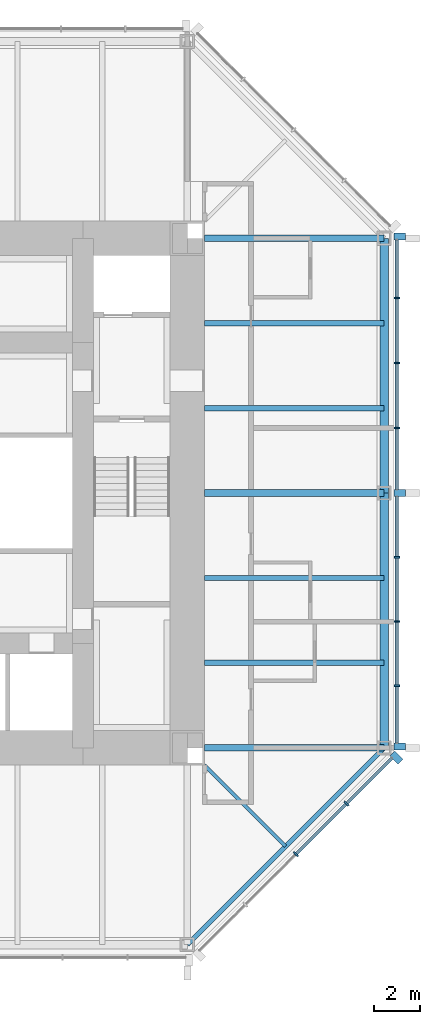
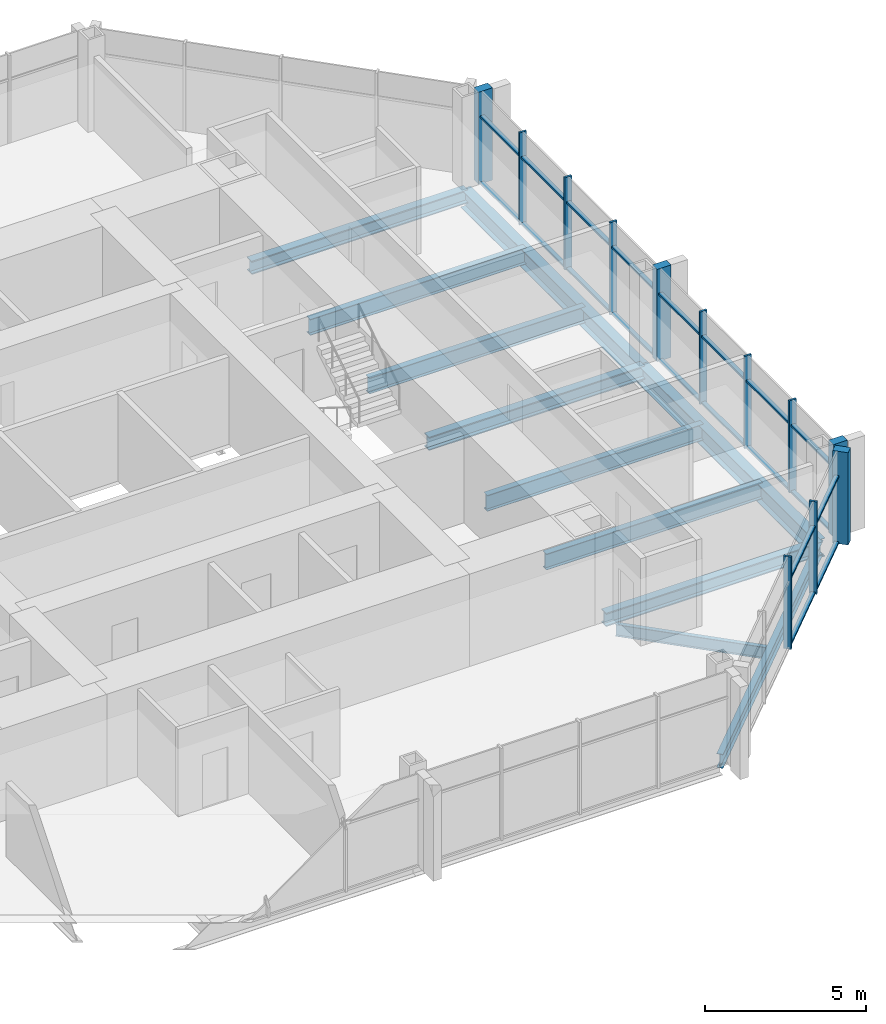
# One storey, part 4 of 11: 32 members, 11 beams, 2 elements without a shape of their own.
"""IFC4 building model written with IfcOpenShell, lengths in metres."""

from ifc_helpers import new_model, si_unit, direction, frame, origin, origin_2d, place, context, subcontext, project, spatial, rectangle, i_section, extrude, material, material_profile, profile_set, type_object, element, aggregate, save


model = new_model("IFC4")

# Units and contexts
model_context = context("Model", 3, precision=1e-05, world=origin(), true_north=direction((0.0, 1.0)))
body_context = subcontext(model_context, "Body", "Model", "MODEL_VIEW")
ifc_project = project(units=[si_unit("LENGTHUNIT", "METRE"), si_unit("AREAUNIT", "SQUARE_METRE"), si_unit("VOLUMEUNIT", "CUBIC_METRE"), si_unit("PLANEANGLEUNIT", "RADIAN"), si_unit("MASSUNIT", "GRAM", prefix="KILO")], contexts=[model_context])

# Site, building, storey
site_placement = place(None, origin())
site = spatial("IfcSite", under=ifc_project, at=site_placement, CompositionType="ELEMENT")
building_placement = place(site_placement, origin())
building = spatial("IfcBuilding", under=site, at=building_placement, Name="Trevanion Tower", CompositionType="ELEMENT")
storey_placement = place(building_placement, frame((0.0, 0.0, 229.199951171875)))
storey = spatial("IfcBuildingStorey", under=building, at=storey_placement, Name="L55", CompositionType="ELEMENT", Elevation=229.199951171875)

# Beams
ifc_material_1 = material(Name="Steel ASTM A992 Grade 50", Category="steel")
ifc_material_profile_1 = material_profile(ifc_material_1, i_section(OverallWidth=0.228271484375, OverallDepth=0.607177734375, WebThickness=0.01123046875, FlangeThickness=0.017333984375, at=origin_2d()), Name="W24X76")
ifc_profile_set_1 = profile_set([ifc_material_profile_1], Name="Steel ASTM A992 Grade 50")
beam_type_1 = type_object("IfcBeamType", Name="B11 W24X76", PredefinedType="BEAM", material=ifc_profile_set_1)
for number, where, z_axis, x_axis, name in (
    (1, (11.75, -7.333251953125, -0.493408203125), (1.0, 0.0, 0.0), (0.0, 1.0, 0.0), "B11 L55"),
    (2, (11.75, -3.666748046875, -0.493408203125), (1.0, 0.0, 0.0), (0.0, 1.0, 0.0), "B11 L55"),
    (3, (11.75, 3.666748046875, -0.493408203125), (1.0, 0.0, 0.0), (0.0, 1.0, 0.0), "B11 L55"),
    (4, (11.75, 7.333251953125, -0.493408203125), (1.0, 0.0, 0.0), (0.0, 1.0, 0.0), "B11 L55"),
):
    element("IfcBeam", number, at=place(storey_placement, frame(where, z_axis=z_axis, x_axis=x_axis)), inside=storey, type_object=beam_type_1, Name=name, PredefinedType="BEAM", context=body_context, shape_type="SweptSolid", body=[
        extrude(i_section(OverallWidth=0.228271484375, OverallDepth=0.607177734375, WebThickness=0.01123046875, FlangeThickness=0.017333984375, at=origin_2d()), origin(), (0.0, 0.0, 1.0), 7.75),
    ])
ifc_material_2 = material(Name="Steel ASTM A992 Grade 50", Category="steel")
ifc_material_profile_2 = material_profile(ifc_material_2, i_section(OverallWidth=0.15234375, OverallDepth=0.449462890625, WebThickness=0.007568359375, FlangeThickness=0.0107421875, at=origin_2d()), Name="W18X35")
ifc_profile_set_2 = profile_set([ifc_material_profile_2], Name="Steel ASTM A992 Grade 50")
beam_type_2 = type_object("IfcBeamType", Name="B12 W18X35", PredefinedType="BEAM", material=ifc_profile_set_2)
beam_1_placement = place(storey_placement, frame((11.75, -11.75, -0.414794921875), z_axis=(0.707106781187, -0.707106781187, 0.0), x_axis=(0.707106781187, 0.707106781187, 0.0)))
element("IfcBeam", 5, at=beam_1_placement, inside=storey, type_object=beam_type_2, Name="B12 L55", PredefinedType="BEAM", context=body_context, shape_type="SweptSolid", body=[
    extrude(i_section(OverallWidth=0.15234375, OverallDepth=0.449462890625, WebThickness=0.007568359375, FlangeThickness=0.0107421875, at=origin_2d()), origin(), (0.0, 0.0, 1.0), 4.94970703125),
])

# Curtain wall, members
ifc_material_3 = material(Name="Aluminium and glass", Category="aluminium")
curtain_wall_type = type_object("IfcCurtainWallType", Name="CW3 curtain wall", PredefinedType="USERDEFINED", material=ifc_material_3)
curtain_wall_1_placement = place(storey_placement, origin())
curtain_wall_1 = element("IfcCurtainWall", 6, at=curtain_wall_1_placement, inside=storey, type_object=curtain_wall_type, Name="CW3 L55 0", ObjectType="UNITISED CURTAIN WALL", PredefinedType="USERDEFINED")
ifc_material_4 = material(Name="Aluminium extrusion, anodised bronze", Category="aluminium")
ifc_material_profile_3 = material_profile(ifc_material_4, rectangle(XDim=0.074951171875, YDim=0.25, at=origin_2d()), Name="CW3 mullion")
ifc_profile_set_3 = profile_set([ifc_material_profile_3], Name="Aluminium extrusion, anodised bronze")
member_type_1 = type_object("IfcMemberType", Name="CW3 mullion", PredefinedType="MULLION", material=ifc_profile_set_3)
member_1_placement = place(storey_placement, frame((20.050048828125, -8.323486328125, -0.18994140625), z_axis=(0.0, 0.0, 1.0), x_axis=(0.0, 1.0, 0.0)))
member_1 = element("IfcMember", 7, at=member_1_placement, type_object=member_type_1, Name="CW3 mullion 2", PredefinedType="MULLION", context=body_context, shape_type="SweptSolid", body=[
    extrude(rectangle(XDim=0.074951171875, YDim=0.25, at=origin_2d()), origin(), (0.0, 0.0, 1.0), 3.5),
])
member_2_placement = place(storey_placement, frame((20.050048828125, -5.548828125, -0.18994140625), z_axis=(0.0, 0.0, 1.0), x_axis=(0.0, 1.0, 0.0)))
member_2 = element("IfcMember", 8, at=member_2_placement, type_object=member_type_1, Name="CW3 mullion 3", PredefinedType="MULLION", context=body_context, shape_type="SweptSolid", body=[
    extrude(rectangle(XDim=0.074951171875, YDim=0.25, at=origin_2d()), origin(), (0.0, 0.0, 1.0), 3.5),
])
member_3_placement = place(storey_placement, frame((20.050048828125, -2.7744140625, -0.18994140625), z_axis=(0.0, 0.0, 1.0), x_axis=(0.0, 1.0, 0.0)))
member_3 = element("IfcMember", 9, at=member_3_placement, type_object=member_type_1, Name="CW3 mullion 4", PredefinedType="MULLION", context=body_context, shape_type="SweptSolid", body=[
    extrude(rectangle(XDim=0.074951171875, YDim=0.25, at=origin_2d()), origin(), (0.0, 0.0, 1.0), 3.5),
])
member_4_placement = place(storey_placement, frame((20.050048828125, 2.806884765625, -0.18994140625), z_axis=(0.0, 0.0, 1.0), x_axis=(0.0, 1.0, 0.0)))
member_4 = element("IfcMember", 10, at=member_4_placement, type_object=member_type_1, Name="CW3 mullion 6", PredefinedType="MULLION", context=body_context, shape_type="SweptSolid", body=[
    extrude(rectangle(XDim=0.074951171875, YDim=0.25, at=origin_2d()), origin(), (0.0, 0.0, 1.0), 3.5),
])
member_5_placement = place(storey_placement, frame((20.050048828125, 5.614013671875, -0.18994140625), z_axis=(0.0, 0.0, 1.0), x_axis=(0.0, 1.0, 0.0)))
member_5 = element("IfcMember", 11, at=member_5_placement, type_object=member_type_1, Name="CW3 mullion 7", PredefinedType="MULLION", context=body_context, shape_type="SweptSolid", body=[
    extrude(rectangle(XDim=0.074951171875, YDim=0.25, at=origin_2d()), origin(), (0.0, 0.0, 1.0), 3.5),
])
member_6_placement = place(storey_placement, frame((20.050048828125, 8.4208984375, -0.18994140625), z_axis=(0.0, 0.0, 1.0), x_axis=(0.0, 1.0, 0.0)))
member_6 = element("IfcMember", 12, at=member_6_placement, type_object=member_type_1, Name="CW3 mullion 8", PredefinedType="MULLION", context=body_context, shape_type="SweptSolid", body=[
    extrude(rectangle(XDim=0.074951171875, YDim=0.25, at=origin_2d()), origin(), (0.0, 0.0, 1.0), 3.5),
])

curtain_wall_2_placement = place(storey_placement, origin())
curtain_wall_2 = element("IfcCurtainWall", 13, at=curtain_wall_2_placement, inside=storey, type_object=curtain_wall_type, Name="CW3 L55 7", ObjectType="UNITISED CURTAIN WALL", PredefinedType="USERDEFINED")
member_7_placement = place(storey_placement, frame((15.684814453125, -15.593017578125, -0.18994140625), z_axis=(0.0, 0.0, 1.0), x_axis=(0.707106781187, 0.707106781187, 0.0)))
member_7 = element("IfcMember", 14, at=member_7_placement, type_object=member_type_1, Name="CW3 mullion 3", PredefinedType="MULLION", context=body_context, shape_type="SweptSolid", body=[
    extrude(rectangle(XDim=0.074951171875, YDim=0.25, at=origin_2d()), origin(), (0.0, 0.0, 1.0), 3.5),
])
member_8_placement = place(storey_placement, frame((17.867431640625, -13.410400390625, -0.18994140625), z_axis=(0.0, 0.0, 1.0), x_axis=(0.707106781187, 0.707106781187, 0.0)))
member_8 = element("IfcMember", 15, at=member_8_placement, type_object=member_type_1, Name="CW3 mullion 4", PredefinedType="MULLION", context=body_context, shape_type="SweptSolid", body=[
    extrude(rectangle(XDim=0.074951171875, YDim=0.25, at=origin_2d()), origin(), (0.0, 0.0, 1.0), 3.5),
])

# Member
ifc_material_5 = material(Name="Aluminium extrusion, anodised bronze", Category="aluminium")
ifc_material_profile_4 = material_profile(ifc_material_5, rectangle(XDim=0.300048828125, YDim=0.5, at=origin_2d()), Name="CW3 pier mullion")
ifc_profile_set_4 = profile_set([ifc_material_profile_4], Name="Aluminium extrusion, anodised bronze")
member_type_2 = type_object("IfcMemberType", Name="CW3 pier mullion", PredefinedType="MULLION", material=ifc_profile_set_4)
member_9_placement = place(storey_placement, frame((20.175048828125, -10.94775390625, -0.18994140625), z_axis=(0.0, 0.0, 1.0), x_axis=(0.0, 1.0, 0.0)))
member_9 = element("IfcMember", 16, at=member_9_placement, type_object=member_type_2, Name="CW3 pier mullion 1", PredefinedType="MULLION", context=body_context, shape_type="SweptSolid", body=[
    extrude(rectangle(XDim=0.300048828125, YDim=0.5, at=origin_2d()), origin(), (0.0, 0.0, 1.0), 3.5),
])

member_10_placement = place(storey_placement, frame((20.175048828125, 0.0, -0.18994140625), z_axis=(0.0, 0.0, 1.0), x_axis=(0.0, 1.0, 0.0)))
member_10 = element("IfcMember", 17, at=member_10_placement, type_object=member_type_2, Name="CW3 pier mullion 5", PredefinedType="MULLION", context=body_context, shape_type="SweptSolid", body=[
    extrude(rectangle(XDim=0.300048828125, YDim=0.5, at=origin_2d()), origin(), (0.0, 0.0, 1.0), 3.5),
])

member_11_placement = place(storey_placement, frame((20.175048828125, 11.077880859375, -0.18994140625), z_axis=(0.0, 0.0, 1.0), x_axis=(0.0, 1.0, 0.0)))
member_11 = element("IfcMember", 18, at=member_11_placement, type_object=member_type_2, Name="CW3 pier mullion 9", PredefinedType="MULLION", context=body_context, shape_type="SweptSolid", body=[
    extrude(rectangle(XDim=0.300048828125, YDim=0.5, at=origin_2d()), origin(), (0.0, 0.0, 1.0), 3.5),
])

member_12_placement = place(storey_placement, frame((20.0322265625, -11.42236328125, -0.18994140625), z_axis=(0.0, 0.0, 1.0), x_axis=(0.707106781187, 0.707106781187, 0.0)))
member_12 = element("IfcMember", 19, at=member_12_placement, type_object=member_type_2, Name="CW3 pier mullion 5", PredefinedType="MULLION", context=body_context, shape_type="SweptSolid", body=[
    extrude(rectangle(XDim=0.300048828125, YDim=0.5, at=origin_2d()), origin(), (0.0, 0.0, 1.0), 3.5),
])

ifc_material_6 = material(Name="Aluminium extrusion, anodised bronze", Category="aluminium")
ifc_material_profile_5 = material_profile(ifc_material_6, rectangle(XDim=0.14990234375, YDim=0.074951171875, at=origin_2d()), Name="CW3 transom")
ifc_profile_set_5 = profile_set([ifc_material_profile_5], Name="Aluminium extrusion, anodised bronze")
member_type_3 = type_object("IfcMemberType", Name="CW3 transom", PredefinedType="USERDEFINED", material=ifc_profile_set_5)
member_13_placement = place(storey_placement, frame((20.050048828125, -10.7978515625, -0.15234375), z_axis=(0.0, 1.0, 0.0), x_axis=(-1.0, 0.0, 0.0)))
member_13 = element("IfcMember", 20, at=member_13_placement, type_object=member_type_3, Name="CW3 transom 1.1", ObjectType="TRANSOM", PredefinedType="USERDEFINED", context=body_context, shape_type="SweptSolid", body=[
    extrude(rectangle(XDim=0.14990234375, YDim=0.074951171875, at=origin_2d()), origin(), (0.0, 0.0, 1.0), 2.43701171875),
])

member_14_placement = place(storey_placement, frame((20.050048828125, -10.7978515625, 2.360107421875), z_axis=(0.0, 1.0, 0.0), x_axis=(-1.0, 0.0, 0.0)))
member_14 = element("IfcMember", 21, at=member_14_placement, type_object=member_type_3, Name="CW3 transom 1.2", ObjectType="TRANSOM", PredefinedType="USERDEFINED", context=body_context, shape_type="SweptSolid", body=[
    extrude(rectangle(XDim=0.14990234375, YDim=0.074951171875, at=origin_2d()), origin(), (0.0, 0.0, 1.0), 2.43701171875),
])

member_15_placement = place(storey_placement, frame((20.050048828125, -8.285888671875, -0.15234375), z_axis=(0.0, 1.0, 0.0), x_axis=(-1.0, 0.0, 0.0)))
member_15 = element("IfcMember", 22, at=member_15_placement, type_object=member_type_3, Name="CW3 transom 2.1", ObjectType="TRANSOM", PredefinedType="USERDEFINED", context=body_context, shape_type="SweptSolid", body=[
    extrude(rectangle(XDim=0.14990234375, YDim=0.074951171875, at=origin_2d()), origin(), (0.0, 0.0, 1.0), 2.699462890625),
])

member_16_placement = place(storey_placement, frame((20.050048828125, -8.285888671875, 2.360107421875), z_axis=(0.0, 1.0, 0.0), x_axis=(-1.0, 0.0, 0.0)))
member_16 = element("IfcMember", 23, at=member_16_placement, type_object=member_type_3, Name="CW3 transom 2.2", ObjectType="TRANSOM", PredefinedType="USERDEFINED", context=body_context, shape_type="SweptSolid", body=[
    extrude(rectangle(XDim=0.14990234375, YDim=0.074951171875, at=origin_2d()), origin(), (0.0, 0.0, 1.0), 2.699462890625),
])

member_17_placement = place(storey_placement, frame((20.050048828125, -5.511474609375, -0.15234375), z_axis=(0.0, 1.0, 0.0), x_axis=(-1.0, 0.0, 0.0)))
member_17 = element("IfcMember", 24, at=member_17_placement, type_object=member_type_3, Name="CW3 transom 3.1", ObjectType="TRANSOM", PredefinedType="USERDEFINED", context=body_context, shape_type="SweptSolid", body=[
    extrude(rectangle(XDim=0.14990234375, YDim=0.074951171875, at=origin_2d()), origin(), (0.0, 0.0, 1.0), 2.699462890625),
])

member_18_placement = place(storey_placement, frame((20.050048828125, -5.511474609375, 2.360107421875), z_axis=(0.0, 1.0, 0.0), x_axis=(-1.0, 0.0, 0.0)))
member_18 = element("IfcMember", 25, at=member_18_placement, type_object=member_type_3, Name="CW3 transom 3.2", ObjectType="TRANSOM", PredefinedType="USERDEFINED", context=body_context, shape_type="SweptSolid", body=[
    extrude(rectangle(XDim=0.14990234375, YDim=0.074951171875, at=origin_2d()), origin(), (0.0, 0.0, 1.0), 2.699462890625),
])

member_19_placement = place(storey_placement, frame((20.050048828125, -2.737060546875, -0.15234375), z_axis=(0.0, 1.0, 0.0), x_axis=(-1.0, 0.0, 0.0)))
member_19 = element("IfcMember", 26, at=member_19_placement, type_object=member_type_3, Name="CW3 transom 4.1", ObjectType="TRANSOM", PredefinedType="USERDEFINED", context=body_context, shape_type="SweptSolid", body=[
    extrude(rectangle(XDim=0.14990234375, YDim=0.074951171875, at=origin_2d()), origin(), (0.0, 0.0, 1.0), 2.587158203125),
])

member_20_placement = place(storey_placement, frame((20.050048828125, -2.737060546875, 2.360107421875), z_axis=(0.0, 1.0, 0.0), x_axis=(-1.0, 0.0, 0.0)))
member_20 = element("IfcMember", 27, at=member_20_placement, type_object=member_type_3, Name="CW3 transom 4.2", ObjectType="TRANSOM", PredefinedType="USERDEFINED", context=body_context, shape_type="SweptSolid", body=[
    extrude(rectangle(XDim=0.14990234375, YDim=0.074951171875, at=origin_2d()), origin(), (0.0, 0.0, 1.0), 2.587158203125),
])

member_21_placement = place(storey_placement, frame((20.050048828125, 0.14990234375, -0.15234375), z_axis=(0.0, 1.0, 0.0), x_axis=(-1.0, 0.0, 0.0)))
member_21 = element("IfcMember", 28, at=member_21_placement, type_object=member_type_3, Name="CW3 transom 5.1", ObjectType="TRANSOM", PredefinedType="USERDEFINED", context=body_context, shape_type="SweptSolid", body=[
    extrude(rectangle(XDim=0.14990234375, YDim=0.074951171875, at=origin_2d()), origin(), (0.0, 0.0, 1.0), 2.619384765625),
])

member_22_placement = place(storey_placement, frame((20.050048828125, 0.14990234375, 2.360107421875), z_axis=(0.0, 1.0, 0.0), x_axis=(-1.0, 0.0, 0.0)))
member_22 = element("IfcMember", 29, at=member_22_placement, type_object=member_type_3, Name="CW3 transom 5.2", ObjectType="TRANSOM", PredefinedType="USERDEFINED", context=body_context, shape_type="SweptSolid", body=[
    extrude(rectangle(XDim=0.14990234375, YDim=0.074951171875, at=origin_2d()), origin(), (0.0, 0.0, 1.0), 2.619384765625),
])

member_23_placement = place(storey_placement, frame((20.050048828125, 2.844482421875, -0.15234375), z_axis=(0.0, 1.0, 0.0), x_axis=(-1.0, 0.0, 0.0)))
member_23 = element("IfcMember", 30, at=member_23_placement, type_object=member_type_3, Name="CW3 transom 6.1", ObjectType="TRANSOM", PredefinedType="USERDEFINED", context=body_context, shape_type="SweptSolid", body=[
    extrude(rectangle(XDim=0.14990234375, YDim=0.074951171875, at=origin_2d()), origin(), (0.0, 0.0, 1.0), 2.73193359375),
])

member_24_placement = place(storey_placement, frame((20.050048828125, 2.844482421875, 2.360107421875), z_axis=(0.0, 1.0, 0.0), x_axis=(-1.0, 0.0, 0.0)))
member_24 = element("IfcMember", 31, at=member_24_placement, type_object=member_type_3, Name="CW3 transom 6.2", ObjectType="TRANSOM", PredefinedType="USERDEFINED", context=body_context, shape_type="SweptSolid", body=[
    extrude(rectangle(XDim=0.14990234375, YDim=0.074951171875, at=origin_2d()), origin(), (0.0, 0.0, 1.0), 2.73193359375),
])

member_25_placement = place(storey_placement, frame((20.050048828125, 5.6513671875, -0.15234375), z_axis=(0.0, 1.0, 0.0), x_axis=(-1.0, 0.0, 0.0)))
member_25 = element("IfcMember", 32, at=member_25_placement, type_object=member_type_3, Name="CW3 transom 7.1", ObjectType="TRANSOM", PredefinedType="USERDEFINED", context=body_context, shape_type="SweptSolid", body=[
    extrude(rectangle(XDim=0.14990234375, YDim=0.074951171875, at=origin_2d()), origin(), (0.0, 0.0, 1.0), 2.73193359375),
])

member_26_placement = place(storey_placement, frame((20.050048828125, 5.6513671875, 2.360107421875), z_axis=(0.0, 1.0, 0.0), x_axis=(-1.0, 0.0, 0.0)))
member_26 = element("IfcMember", 33, at=member_26_placement, type_object=member_type_3, Name="CW3 transom 7.2", ObjectType="TRANSOM", PredefinedType="USERDEFINED", context=body_context, shape_type="SweptSolid", body=[
    extrude(rectangle(XDim=0.14990234375, YDim=0.074951171875, at=origin_2d()), origin(), (0.0, 0.0, 1.0), 2.73193359375),
])

member_27_placement = place(storey_placement, frame((20.050048828125, 8.45849609375, -0.15234375), z_axis=(0.0, 1.0, 0.0), x_axis=(-1.0, 0.0, 0.0)))
member_27 = element("IfcMember", 34, at=member_27_placement, type_object=member_type_3, Name="CW3 transom 8.1", ObjectType="TRANSOM", PredefinedType="USERDEFINED", context=body_context, shape_type="SweptSolid", body=[
    extrude(rectangle(XDim=0.14990234375, YDim=0.074951171875, at=origin_2d()), origin(), (0.0, 0.0, 1.0), 2.46923828125),
])

member_28_placement = place(storey_placement, frame((20.050048828125, 8.45849609375, 2.360107421875), z_axis=(0.0, 1.0, 0.0), x_axis=(-1.0, 0.0, 0.0)))
member_28 = element("IfcMember", 35, at=member_28_placement, type_object=member_type_3, Name="CW3 transom 8.2", ObjectType="TRANSOM", PredefinedType="USERDEFINED", context=body_context, shape_type="SweptSolid", body=[
    extrude(rectangle(XDim=0.14990234375, YDim=0.074951171875, at=origin_2d()), origin(), (0.0, 0.0, 1.0), 2.46923828125),
])

aggregate(curtain_wall_1, [member_9, member_1, member_2, member_3, member_10, member_4, member_5, member_6, member_11, member_13, member_14, member_15, member_16, member_17, member_18, member_19, member_20, member_21, member_22, member_23, member_24, member_25, member_26, member_27, member_28])

member_29_placement = place(storey_placement, frame((15.71142578125, -15.56640625, -0.15234375), z_axis=(0.707106781187, 0.707106781187, 0.0), x_axis=(-0.707106781187, 0.707106781187, 0.0)))
member_29 = element("IfcMember", 36, at=member_29_placement, type_object=member_type_3, Name="CW3 transom 3.1", ObjectType="TRANSOM", PredefinedType="USERDEFINED", context=body_context, shape_type="SweptSolid", body=[
    extrude(rectangle(XDim=0.14990234375, YDim=0.074951171875, at=origin_2d()), origin(), (0.0, 0.0, 1.0), 3.011474609375),
])

member_30_placement = place(storey_placement, frame((15.71142578125, -15.56640625, 2.360107421875), z_axis=(0.707106781187, 0.707106781187, 0.0), x_axis=(-0.707106781187, 0.707106781187, 0.0)))
member_30 = element("IfcMember", 37, at=member_30_placement, type_object=member_type_3, Name="CW3 transom 3.2", ObjectType="TRANSOM", PredefinedType="USERDEFINED", context=body_context, shape_type="SweptSolid", body=[
    extrude(rectangle(XDim=0.14990234375, YDim=0.074951171875, at=origin_2d()), origin(), (0.0, 0.0, 1.0), 3.011474609375),
])

member_31_placement = place(storey_placement, frame((17.89404296875, -13.3837890625, -0.15234375), z_axis=(0.707106781187, 0.707106781187, 0.0), x_axis=(-0.707106781187, 0.707106781187, 0.0)))
member_31 = element("IfcMember", 38, at=member_31_placement, type_object=member_type_3, Name="CW3 transom 4.1", ObjectType="TRANSOM", PredefinedType="USERDEFINED", context=body_context, shape_type="SweptSolid", body=[
    extrude(rectangle(XDim=0.14990234375, YDim=0.074951171875, at=origin_2d()), origin(), (0.0, 0.0, 1.0), 2.7490234375),
])

member_32_placement = place(storey_placement, frame((17.89404296875, -13.3837890625, 2.360107421875), z_axis=(0.707106781187, 0.707106781187, 0.0), x_axis=(-0.707106781187, 0.707106781187, 0.0)))
member_32 = element("IfcMember", 39, at=member_32_placement, type_object=member_type_3, Name="CW3 transom 4.2", ObjectType="TRANSOM", PredefinedType="USERDEFINED", context=body_context, shape_type="SweptSolid", body=[
    extrude(rectangle(XDim=0.14990234375, YDim=0.074951171875, at=origin_2d()), origin(), (0.0, 0.0, 1.0), 2.7490234375),
])

aggregate(curtain_wall_2, [member_7, member_8, member_12, member_29, member_30, member_31, member_32])

# Beams
ifc_material_7 = material(Name="Steel ASTM A992 Grade 50", Category="steel")
ifc_material_profile_6 = material_profile(ifc_material_7, i_section(OverallWidth=0.28955078125, OverallDepth=0.508056640625, WebThickness=0.022705078125, FlangeThickness=0.040283203125, at=origin_2d()), Name="W18X175")
ifc_profile_set_6 = profile_set([ifc_material_profile_6], Name="Steel ASTM A992 Grade 50")
beam_type_3 = type_object("IfcBeamType", Name="G6 W18X175", PredefinedType="BEAM", material=ifc_profile_set_6)
for number, where, z_axis, x_axis, name in (
    (40, (11.75, -11.0, -0.44384765625), (1.0, 0.0, 0.0), (0.0, 1.0, 0.0), "G6 L55"),
    (41, (11.75, 0.0, -0.44384765625), (1.0, 0.0, 0.0), (0.0, 1.0, 0.0), "G6 L55"),
    (42, (11.75, 11.0, -0.44384765625), (1.0, 0.0, 0.0), (0.0, 1.0, 0.0), "G6 L55"),
):
    element("IfcBeam", number, at=place(storey_placement, frame(where, z_axis=z_axis, x_axis=x_axis)), inside=storey, type_object=beam_type_3, Name=name, PredefinedType="BEAM", context=body_context, shape_type="SweptSolid", body=[
        extrude(i_section(OverallWidth=0.28955078125, OverallDepth=0.508056640625, WebThickness=0.022705078125, FlangeThickness=0.040283203125, at=origin_2d()), origin(), (0.0, 0.0, 1.0), 7.75),
    ])
ifc_material_8 = material(Name="Steel ASTM A992 Grade 50", Category="steel")
ifc_material_profile_7 = material_profile(ifc_material_8, i_section(OverallWidth=0.355712890625, OverallDepth=0.696044921875, WebThickness=0.015380859375, FlangeThickness=0.024658203125, at=origin_2d()), Name="W27X146")
ifc_profile_set_7 = profile_set([ifc_material_profile_7], Name="Steel ASTM A992 Grade 50")
beam_type_4 = type_object("IfcBeamType", Name="SB8 W27X146", PredefinedType="SPANDREL", material=ifc_profile_set_7)
for number, where, z_axis, x_axis, name in (
    (43, (19.5, -11.0, -0.537841796875), (0.0, 1.0, 0.0), (-1.0, 0.0, 0.0), "SB8 L55"),
    (44, (19.5, 0.0, -0.537841796875), (0.0, 1.0, 0.0), (-1.0, 0.0, 0.0), "SB8 L55"),
):
    element("IfcBeam", number, at=place(storey_placement, frame(where, z_axis=z_axis, x_axis=x_axis)), inside=storey, type_object=beam_type_4, Name=name, PredefinedType="SPANDREL", context=body_context, shape_type="SweptSolid", body=[
        extrude(i_section(OverallWidth=0.355712890625, OverallDepth=0.696044921875, WebThickness=0.015380859375, FlangeThickness=0.024658203125, at=origin_2d()), origin(), (0.0, 0.0, 1.0), 11.0),
    ])
ifc_material_9 = material(Name="Steel ASTM A992 Grade 50", Category="steel")
ifc_material_profile_8 = material_profile(ifc_material_9, i_section(OverallWidth=0.209228515625, OverallDepth=0.533447265625, WebThickness=0.01025390625, FlangeThickness=0.015625, at=origin_2d()), Name="W21X62")
ifc_profile_set_8 = profile_set([ifc_material_profile_8], Name="Steel ASTM A992 Grade 50")
beam_type_5 = type_object("IfcBeamType", Name="SB9 W21X62", PredefinedType="SPANDREL", material=ifc_profile_set_8)
beam_2_placement = place(storey_placement, frame((11.0, -19.5, -0.45654296875), z_axis=(0.707106781187, 0.707106781187, 0.0), x_axis=(-0.707106781187, 0.707106781187, 0.0)))
element("IfcBeam", 45, at=beam_2_placement, inside=storey, type_object=beam_type_5, Name="SB9 L55", PredefinedType="SPANDREL", context=body_context, shape_type="SweptSolid", body=[
    extrude(i_section(OverallWidth=0.209228515625, OverallDepth=0.533447265625, WebThickness=0.01025390625, FlangeThickness=0.015625, at=origin_2d()), origin(), (0.0, 0.0, 1.0), 12.020751953125),
])

save(model, "model.ifc")
